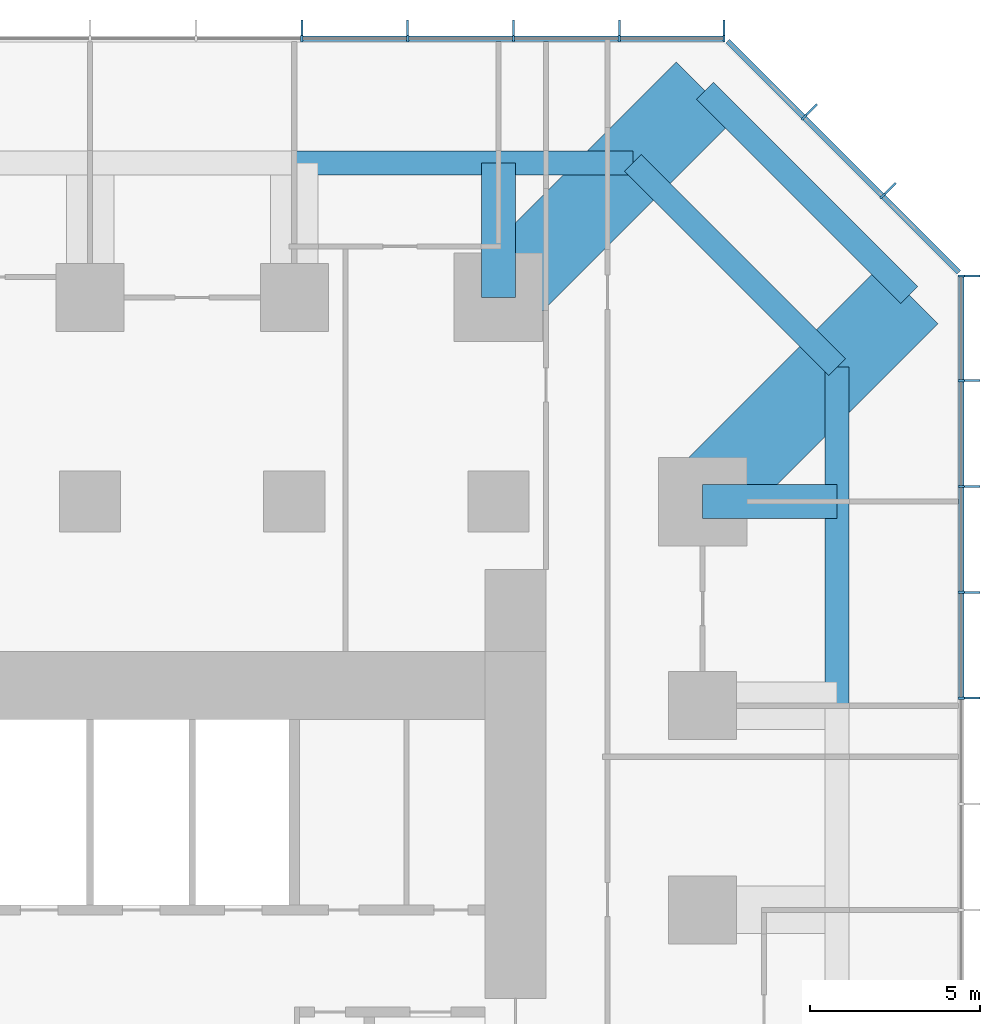
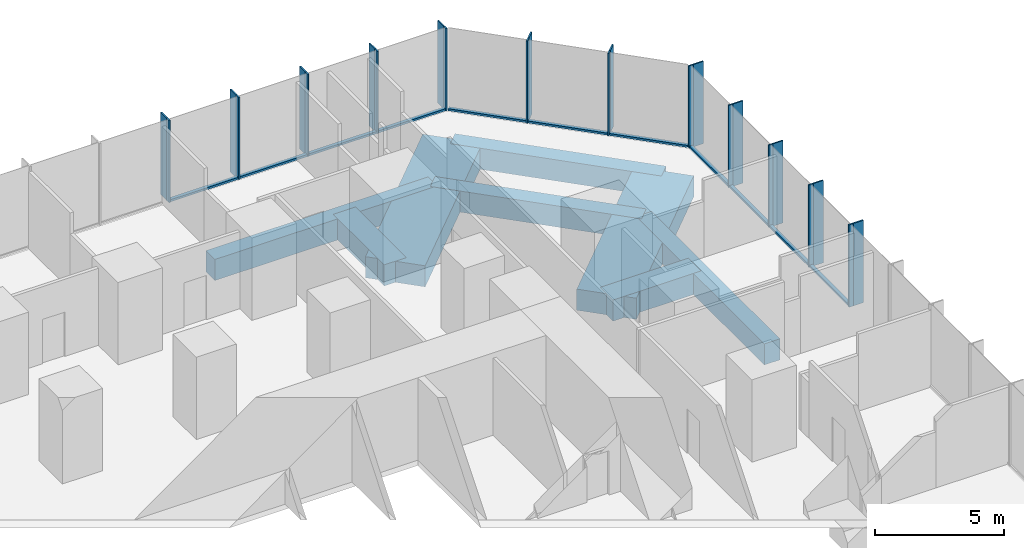
# One storey, part 6 of 12: 35 members, 8 beams, 3 elements without a shape of their own.
"""IFC4 building model written with IfcOpenShell, lengths in metres."""

from ifc_helpers import new_model, si_unit, direction, frame, origin, origin_2d, place, context, subcontext, project, spatial, rectangle, extrude, material, layer, layer_set, material_profile, profile_set, type_object, element, aggregate, save


model = new_model("IFC4")

# Units and contexts
model_context = context("Model", 3, precision=1e-05, world=origin(), true_north=direction((0.0, 1.0)))
body_context = subcontext(model_context, "Body", "Model", "MODEL_VIEW")
ifc_project = project(units=[si_unit("LENGTHUNIT", "METRE"), si_unit("AREAUNIT", "SQUARE_METRE"), si_unit("VOLUMEUNIT", "CUBIC_METRE"), si_unit("PLANEANGLEUNIT", "RADIAN"), si_unit("MASSUNIT", "GRAM", prefix="KILO")], contexts=[model_context])

# Site, building, storey
site_placement = place(None, origin())
site = spatial("IfcSite", under=ifc_project, at=site_placement, CompositionType="ELEMENT")
building_placement = place(site_placement, origin())
building = spatial("IfcBuilding", under=site, at=building_placement, Name="Highveld Stack Headquarters", CompositionType="ELEMENT")
storey_placement = place(building_placement, frame((0.0, 0.0, 80.60009765625)))
storey = spatial("IfcBuildingStorey", under=building, at=storey_placement, Name="L19", CompositionType="ELEMENT", Elevation=80.60009765625)

# Beams
ifc_material_1 = material(Name="Concrete C60/75", Category="concrete")
ifc_material_profile_1 = material_profile(ifc_material_1, rectangle(XDim=1.0, YDim=1.0, at=origin_2d()), Name="RC 1000x1000")
ifc_profile_set_1 = profile_set([ifc_material_profile_1], Name="Concrete C60/75")
beam_type_1 = type_object("IfcBeamType", Name="CANTILEVER RIB RC 1000x1000", PredefinedType="USERDEFINED", material=ifc_profile_set_1)
for number, where, z_axis, x_axis, name in (
    (1, (18.0, 24.0, -0.75), (0.0, 1.0, 0.0), (-1.0, 0.0, 0.0), "Cantilever rib 9/J L19"),
    (2, (24.0, 18.0, -0.75), (1.0, 0.0, 0.0), (0.0, 1.0, 0.0), "Cantilever rib 10/H L19"),
):
    element("IfcBeam", number, at=place(storey_placement, frame(where, z_axis=z_axis, x_axis=x_axis)), inside=storey, type_object=beam_type_1, Name=name, ObjectType="CANTILEVER RIB", PredefinedType="USERDEFINED", context=body_context, shape_type="SweptSolid", body=[
        extrude(rectangle(XDim=1.0, YDim=1.0, at=origin_2d()), origin(), (0.0, 0.0, 1.0), 3.949951171875),
    ])
ifc_material_2 = material(Name="Concrete C60/75", Category="concrete")
ifc_material_profile_2 = material_profile(ifc_material_2, rectangle(XDim=2.39990234375, YDim=1.0, at=origin_2d()), Name="RC 2400x1000")
ifc_profile_set_2 = profile_set([ifc_material_profile_2], Name="Concrete C60/75")
beam_type_2 = type_object("IfcBeamType", Name="CANTILEVER RIB RC 2400x1000", PredefinedType="USERDEFINED", material=ifc_profile_set_2)
for number, where, z_axis, x_axis, name in (
    (3, (18.0, 24.0, -0.75), (0.707106781187, 0.707106781187, 0.0), (-0.707106781187, 0.707106781187, 0.0), "Cantilever rib 9/J L19"),
    (4, (24.0, 18.0, -0.75), (0.707106781187, 0.707106781187, 0.0), (-0.707106781187, 0.707106781187, 0.0), "Cantilever rib 10/H L19"),
):
    element("IfcBeam", number, at=place(storey_placement, frame(where, z_axis=z_axis, x_axis=x_axis)), inside=storey, type_object=beam_type_2, Name=name, ObjectType="CANTILEVER RIB", PredefinedType="USERDEFINED", context=body_context, shape_type="SweptSolid", body=[
        extrude(rectangle(XDim=2.39990234375, YDim=1.0, at=origin_2d()), origin(), (0.0, 0.0, 1.0), 8.585693359375),
    ])

# Curtain wall, members
ifc_material_3 = material(Name="Aluminium bronze anodised", Category="aluminium")
ifc_layer_1 = layer(ifc_material_3, 0.199951171875)
ifc_layer_set_1 = layer_set([ifc_layer_1], Name="Aluminium bronze anodised")
curtain_wall_type_1 = type_object("IfcCurtainWallType", Name="CW1 TOWER UNITISED CURTAIN WALL", PredefinedType="NOTDEFINED", material=ifc_layer_set_1)
curtain_wall_1_placement = place(storey_placement, origin())
curtain_wall_1 = element("IfcCurtainWall", 5, at=curtain_wall_1_placement, inside=storey, type_object=curtain_wall_type_1, Name="Curtain wall CW1 L19 E", PredefinedType="NOTDEFINED")
ifc_material_4 = material(Name="Aluminium bronze anodised", Category="aluminium")
ifc_material_profile_3 = material_profile(ifc_material_4, rectangle(XDim=0.449951171875, YDim=0.06005859375, at=origin_2d()), Name="FIN 450x60")
ifc_profile_set_3 = profile_set([ifc_material_profile_3], Name="Aluminium bronze anodised")
member_type_1 = type_object("IfcMemberType", Name="CW1 BRONZE FIN 450x60", PredefinedType="USERDEFINED", material=ifc_profile_set_3)
member_1_placement = place(storey_placement, frame((31.925048828125, 12.220947265625, 0.0), z_axis=(0.0, 0.0, 1.0), x_axis=(-1.0, 0.0, 0.0)))
member_1 = element("IfcMember", 6, at=member_1_placement, type_object=member_type_1, Name="CW1 fin L19 9", ObjectType="FIN", PredefinedType="USERDEFINED", context=body_context, shape_type="SweptSolid", body=[
    extrude(rectangle(XDim=0.449951171875, YDim=0.06005859375, at=origin_2d()), origin(), (0.0, 0.0, 1.0), 3.89990234375),
])
member_2_placement = place(storey_placement, frame((31.925048828125, 15.331298828125, 0.0), z_axis=(0.0, 0.0, 1.0), x_axis=(-1.0, 0.0, 0.0)))
member_2 = element("IfcMember", 7, at=member_2_placement, type_object=member_type_1, Name="CW1 fin L19 10", ObjectType="FIN", PredefinedType="USERDEFINED", context=body_context, shape_type="SweptSolid", body=[
    extrude(rectangle(XDim=0.449951171875, YDim=0.06005859375, at=origin_2d()), origin(), (0.0, 0.0, 1.0), 3.89990234375),
])
member_3_placement = place(storey_placement, frame((31.925048828125, 18.44189453125, 0.0), z_axis=(0.0, 0.0, 1.0), x_axis=(-1.0, 0.0, 0.0)))
member_3 = element("IfcMember", 8, at=member_3_placement, type_object=member_type_1, Name="CW1 fin L19 11", ObjectType="FIN", PredefinedType="USERDEFINED", context=body_context, shape_type="SweptSolid", body=[
    extrude(rectangle(XDim=0.449951171875, YDim=0.06005859375, at=origin_2d()), origin(), (0.0, 0.0, 1.0), 3.89990234375),
])
member_4_placement = place(storey_placement, frame((31.925048828125, 21.55224609375, 0.0), z_axis=(0.0, 0.0, 1.0), x_axis=(-1.0, 0.0, 0.0)))
member_4 = element("IfcMember", 9, at=member_4_placement, type_object=member_type_1, Name="CW1 fin L19 12", ObjectType="FIN", PredefinedType="USERDEFINED", context=body_context, shape_type="SweptSolid", body=[
    extrude(rectangle(XDim=0.449951171875, YDim=0.06005859375, at=origin_2d()), origin(), (0.0, 0.0, 1.0), 3.89990234375),
])
member_5_placement = place(storey_placement, frame((31.925048828125, 24.630126953125, 0.0), z_axis=(0.0, 0.0, 1.0), x_axis=(-1.0, 0.0, 0.0)))
member_5 = element("IfcMember", 10, at=member_5_placement, type_object=member_type_1, Name="CW1 fin L19 13", ObjectType="FIN", PredefinedType="USERDEFINED", context=body_context, shape_type="SweptSolid", body=[
    extrude(rectangle(XDim=0.449951171875, YDim=0.06005859375, at=origin_2d()), origin(), (0.0, 0.0, 1.0), 3.89990234375),
])

curtain_wall_2_placement = place(storey_placement, origin())
curtain_wall_2 = element("IfcCurtainWall", 11, at=curtain_wall_2_placement, inside=storey, type_object=curtain_wall_type_1, Name="Curtain wall CW1 L19 N", PredefinedType="NOTDEFINED")
member_6_placement = place(storey_placement, frame((24.630126953125, 31.925048828125, 0.0), z_axis=(0.0, 0.0, 1.0), x_axis=(0.0, -1.0, 0.0)))
member_6 = element("IfcMember", 12, at=member_6_placement, type_object=member_type_1, Name="CW1 fin L19 1", ObjectType="FIN", PredefinedType="USERDEFINED", context=body_context, shape_type="SweptSolid", body=[
    extrude(rectangle(XDim=0.449951171875, YDim=0.06005859375, at=origin_2d()), origin(), (0.0, 0.0, 1.0), 3.89990234375),
])
member_7_placement = place(storey_placement, frame((21.55224609375, 31.925048828125, 0.0), z_axis=(0.0, 0.0, 1.0), x_axis=(0.0, -1.0, 0.0)))
member_7 = element("IfcMember", 13, at=member_7_placement, type_object=member_type_1, Name="CW1 fin L19 2", ObjectType="FIN", PredefinedType="USERDEFINED", context=body_context, shape_type="SweptSolid", body=[
    extrude(rectangle(XDim=0.449951171875, YDim=0.06005859375, at=origin_2d()), origin(), (0.0, 0.0, 1.0), 3.89990234375),
])
member_8_placement = place(storey_placement, frame((18.44189453125, 31.925048828125, 0.0), z_axis=(0.0, 0.0, 1.0), x_axis=(0.0, -1.0, 0.0)))
member_8 = element("IfcMember", 14, at=member_8_placement, type_object=member_type_1, Name="CW1 fin L19 3", ObjectType="FIN", PredefinedType="USERDEFINED", context=body_context, shape_type="SweptSolid", body=[
    extrude(rectangle(XDim=0.449951171875, YDim=0.06005859375, at=origin_2d()), origin(), (0.0, 0.0, 1.0), 3.89990234375),
])
member_9_placement = place(storey_placement, frame((15.331298828125, 31.925048828125, 0.0), z_axis=(0.0, 0.0, 1.0), x_axis=(0.0, -1.0, 0.0)))
member_9 = element("IfcMember", 15, at=member_9_placement, type_object=member_type_1, Name="CW1 fin L19 4", ObjectType="FIN", PredefinedType="USERDEFINED", context=body_context, shape_type="SweptSolid", body=[
    extrude(rectangle(XDim=0.449951171875, YDim=0.06005859375, at=origin_2d()), origin(), (0.0, 0.0, 1.0), 3.89990234375),
])
member_10_placement = place(storey_placement, frame((12.220947265625, 31.925048828125, 0.0), z_axis=(0.0, 0.0, 1.0), x_axis=(0.0, -1.0, 0.0)))
member_10 = element("IfcMember", 16, at=member_10_placement, type_object=member_type_1, Name="CW1 fin L19 5", ObjectType="FIN", PredefinedType="USERDEFINED", context=body_context, shape_type="SweptSolid", body=[
    extrude(rectangle(XDim=0.449951171875, YDim=0.06005859375, at=origin_2d()), origin(), (0.0, 0.0, 1.0), 3.89990234375),
])

# Member
ifc_material_5 = material(Name="Aluminium bronze anodised", Category="aluminium")
ifc_material_profile_4 = material_profile(ifc_material_5, rectangle(XDim=0.199951171875, YDim=0.06494140625, at=origin_2d()), Name="CW1 MULLION 65x200")
ifc_profile_set_4 = profile_set([ifc_material_profile_4], Name="Aluminium bronze anodised")
member_type_2 = type_object("IfcMemberType", Name="CW1 MULLION 65x200", PredefinedType="MULLION", material=ifc_profile_set_4)
member_11_placement = place(storey_placement, frame((31.60009765625, 12.220947265625, 0.0), z_axis=(0.0, 0.0, 1.0), x_axis=(-1.0, 0.0, 0.0)))
member_11 = element("IfcMember", 17, at=member_11_placement, type_object=member_type_2, Name="CW1 mullion L19 9", PredefinedType="MULLION", context=body_context, shape_type="SweptSolid", body=[
    extrude(rectangle(XDim=0.199951171875, YDim=0.06494140625, at=origin_2d()), origin(), (0.0, 0.0, 1.0), 3.89990234375),
])

member_12_placement = place(storey_placement, frame((31.60009765625, 15.331298828125, 0.0), z_axis=(0.0, 0.0, 1.0), x_axis=(-1.0, 0.0, 0.0)))
member_12 = element("IfcMember", 18, at=member_12_placement, type_object=member_type_2, Name="CW1 mullion L19 10", PredefinedType="MULLION", context=body_context, shape_type="SweptSolid", body=[
    extrude(rectangle(XDim=0.199951171875, YDim=0.06494140625, at=origin_2d()), origin(), (0.0, 0.0, 1.0), 3.89990234375),
])

member_13_placement = place(storey_placement, frame((31.60009765625, 18.44189453125, 0.0), z_axis=(0.0, 0.0, 1.0), x_axis=(-1.0, 0.0, 0.0)))
member_13 = element("IfcMember", 19, at=member_13_placement, type_object=member_type_2, Name="CW1 mullion L19 11", PredefinedType="MULLION", context=body_context, shape_type="SweptSolid", body=[
    extrude(rectangle(XDim=0.199951171875, YDim=0.06494140625, at=origin_2d()), origin(), (0.0, 0.0, 1.0), 3.89990234375),
])

member_14_placement = place(storey_placement, frame((31.60009765625, 21.55224609375, 0.0), z_axis=(0.0, 0.0, 1.0), x_axis=(-1.0, 0.0, 0.0)))
member_14 = element("IfcMember", 20, at=member_14_placement, type_object=member_type_2, Name="CW1 mullion L19 12", PredefinedType="MULLION", context=body_context, shape_type="SweptSolid", body=[
    extrude(rectangle(XDim=0.199951171875, YDim=0.06494140625, at=origin_2d()), origin(), (0.0, 0.0, 1.0), 3.89990234375),
])

member_15_placement = place(storey_placement, frame((31.60009765625, 24.630126953125, 0.0), z_axis=(0.0, 0.0, 1.0), x_axis=(-1.0, 0.0, 0.0)))
member_15 = element("IfcMember", 21, at=member_15_placement, type_object=member_type_2, Name="CW1 mullion L19 13", PredefinedType="MULLION", context=body_context, shape_type="SweptSolid", body=[
    extrude(rectangle(XDim=0.199951171875, YDim=0.06494140625, at=origin_2d()), origin(), (0.0, 0.0, 1.0), 3.89990234375),
])

member_16_placement = place(storey_placement, frame((24.630126953125, 31.60009765625, 0.0), z_axis=(0.0, 0.0, 1.0), x_axis=(0.0, -1.0, 0.0)))
member_16 = element("IfcMember", 22, at=member_16_placement, type_object=member_type_2, Name="CW1 mullion L19 1", PredefinedType="MULLION", context=body_context, shape_type="SweptSolid", body=[
    extrude(rectangle(XDim=0.199951171875, YDim=0.06494140625, at=origin_2d()), origin(), (0.0, 0.0, 1.0), 3.89990234375),
])

member_17_placement = place(storey_placement, frame((21.55224609375, 31.60009765625, 0.0), z_axis=(0.0, 0.0, 1.0), x_axis=(0.0, -1.0, 0.0)))
member_17 = element("IfcMember", 23, at=member_17_placement, type_object=member_type_2, Name="CW1 mullion L19 2", PredefinedType="MULLION", context=body_context, shape_type="SweptSolid", body=[
    extrude(rectangle(XDim=0.199951171875, YDim=0.06494140625, at=origin_2d()), origin(), (0.0, 0.0, 1.0), 3.89990234375),
])

member_18_placement = place(storey_placement, frame((18.44189453125, 31.60009765625, 0.0), z_axis=(0.0, 0.0, 1.0), x_axis=(0.0, -1.0, 0.0)))
member_18 = element("IfcMember", 24, at=member_18_placement, type_object=member_type_2, Name="CW1 mullion L19 3", PredefinedType="MULLION", context=body_context, shape_type="SweptSolid", body=[
    extrude(rectangle(XDim=0.199951171875, YDim=0.06494140625, at=origin_2d()), origin(), (0.0, 0.0, 1.0), 3.89990234375),
])

member_19_placement = place(storey_placement, frame((15.331298828125, 31.60009765625, 0.0), z_axis=(0.0, 0.0, 1.0), x_axis=(0.0, -1.0, 0.0)))
member_19 = element("IfcMember", 25, at=member_19_placement, type_object=member_type_2, Name="CW1 mullion L19 4", PredefinedType="MULLION", context=body_context, shape_type="SweptSolid", body=[
    extrude(rectangle(XDim=0.199951171875, YDim=0.06494140625, at=origin_2d()), origin(), (0.0, 0.0, 1.0), 3.89990234375),
])

member_20_placement = place(storey_placement, frame((12.220947265625, 31.60009765625, 0.0), z_axis=(0.0, 0.0, 1.0), x_axis=(0.0, -1.0, 0.0)))
member_20 = element("IfcMember", 26, at=member_20_placement, type_object=member_type_2, Name="CW1 mullion L19 5", PredefinedType="MULLION", context=body_context, shape_type="SweptSolid", body=[
    extrude(rectangle(XDim=0.199951171875, YDim=0.06494140625, at=origin_2d()), origin(), (0.0, 0.0, 1.0), 3.89990234375),
])

ifc_material_6 = material(Name="Aluminium bronze anodised", Category="aluminium")
ifc_material_profile_5 = material_profile(ifc_material_6, rectangle(XDim=0.14990234375, YDim=0.10009765625, at=origin_2d()), Name="CW1 TRANSOM 150x100")
ifc_profile_set_5 = profile_set([ifc_material_profile_5], Name="Aluminium bronze anodised")
member_type_3 = type_object("IfcMemberType", Name="CW1 STACK TRANSOM 150x100", PredefinedType="USERDEFINED", material=ifc_profile_set_5)
member_21_placement = place(storey_placement, frame((31.60009765625, 12.25341796875, 0.0498046875), z_axis=(0.0, 1.0, 0.0), x_axis=(-1.0, 0.0, 0.0)))
member_21 = element("IfcMember", 27, at=member_21_placement, type_object=member_type_3, Name="CW1 transom L19 9.1", ObjectType="TRANSOM", PredefinedType="USERDEFINED", context=body_context, shape_type="SweptSolid", body=[
    extrude(rectangle(XDim=0.14990234375, YDim=0.10009765625, at=origin_2d()), origin(), (0.0, 0.0, 1.0), 3.04541015625),
])

member_22_placement = place(storey_placement, frame((31.60009765625, 15.364013671875, 0.0498046875), z_axis=(0.0, 1.0, 0.0), x_axis=(-1.0, 0.0, 0.0)))
member_22 = element("IfcMember", 28, at=member_22_placement, type_object=member_type_3, Name="CW1 transom L19 10.1", ObjectType="TRANSOM", PredefinedType="USERDEFINED", context=body_context, shape_type="SweptSolid", body=[
    extrude(rectangle(XDim=0.14990234375, YDim=0.10009765625, at=origin_2d()), origin(), (0.0, 0.0, 1.0), 3.045166015625),
])

member_23_placement = place(storey_placement, frame((31.60009765625, 18.474365234375, 0.0498046875), z_axis=(0.0, 1.0, 0.0), x_axis=(-1.0, 0.0, 0.0)))
member_23 = element("IfcMember", 29, at=member_23_placement, type_object=member_type_3, Name="CW1 transom L19 11.1", ObjectType="TRANSOM", PredefinedType="USERDEFINED", context=body_context, shape_type="SweptSolid", body=[
    extrude(rectangle(XDim=0.14990234375, YDim=0.10009765625, at=origin_2d()), origin(), (0.0, 0.0, 1.0), 3.04541015625),
])

member_24_placement = place(storey_placement, frame((31.60009765625, 21.584716796875, 0.0498046875), z_axis=(0.0, 1.0, 0.0), x_axis=(-1.0, 0.0, 0.0)))
member_24 = element("IfcMember", 30, at=member_24_placement, type_object=member_type_3, Name="CW1 transom L19 12.1", ObjectType="TRANSOM", PredefinedType="USERDEFINED", context=body_context, shape_type="SweptSolid", body=[
    extrude(rectangle(XDim=0.14990234375, YDim=0.10009765625, at=origin_2d()), origin(), (0.0, 0.0, 1.0), 3.012939453125),
])

aggregate(curtain_wall_1, [member_11, member_1, member_12, member_2, member_13, member_3, member_14, member_4, member_15, member_5, member_21, member_22, member_23, member_24])

member_25_placement = place(storey_placement, frame((24.59765625, 31.60009765625, 0.0498046875), z_axis=(-1.0, 0.0, 0.0), x_axis=(0.0, -1.0, 0.0)))
member_25 = element("IfcMember", 31, at=member_25_placement, type_object=member_type_3, Name="CW1 transom L19 1.1", ObjectType="TRANSOM", PredefinedType="USERDEFINED", context=body_context, shape_type="SweptSolid", body=[
    extrude(rectangle(XDim=0.14990234375, YDim=0.10009765625, at=origin_2d()), origin(), (0.0, 0.0, 1.0), 3.012939453125),
])

member_26_placement = place(storey_placement, frame((21.519775390625, 31.60009765625, 0.0498046875), z_axis=(-1.0, 0.0, 0.0), x_axis=(0.0, -1.0, 0.0)))
member_26 = element("IfcMember", 32, at=member_26_placement, type_object=member_type_3, Name="CW1 transom L19 2.1", ObjectType="TRANSOM", PredefinedType="USERDEFINED", context=body_context, shape_type="SweptSolid", body=[
    extrude(rectangle(XDim=0.14990234375, YDim=0.10009765625, at=origin_2d()), origin(), (0.0, 0.0, 1.0), 3.04541015625),
])

member_27_placement = place(storey_placement, frame((18.4091796875, 31.60009765625, 0.0498046875), z_axis=(-1.0, 0.0, 0.0), x_axis=(0.0, -1.0, 0.0)))
member_27 = element("IfcMember", 33, at=member_27_placement, type_object=member_type_3, Name="CW1 transom L19 3.1", ObjectType="TRANSOM", PredefinedType="USERDEFINED", context=body_context, shape_type="SweptSolid", body=[
    extrude(rectangle(XDim=0.14990234375, YDim=0.10009765625, at=origin_2d()), origin(), (0.0, 0.0, 1.0), 3.045166015625),
])

member_28_placement = place(storey_placement, frame((15.298828125, 31.60009765625, 0.0498046875), z_axis=(-1.0, 0.0, 0.0), x_axis=(0.0, -1.0, 0.0)))
member_28 = element("IfcMember", 34, at=member_28_placement, type_object=member_type_3, Name="CW1 transom L19 4.1", ObjectType="TRANSOM", PredefinedType="USERDEFINED", context=body_context, shape_type="SweptSolid", body=[
    extrude(rectangle(XDim=0.14990234375, YDim=0.10009765625, at=origin_2d()), origin(), (0.0, 0.0, 1.0), 3.04541015625),
])

aggregate(curtain_wall_2, [member_16, member_6, member_17, member_7, member_18, member_8, member_19, member_9, member_20, member_10, member_25, member_26, member_27, member_28])

# Curtain wall, members
ifc_material_7 = material(Name="Aluminium bronze anodised", Category="aluminium")
ifc_layer_2 = layer(ifc_material_7, 0.199951171875)
ifc_layer_set_2 = layer_set([ifc_layer_2], Name="Aluminium bronze anodised")
curtain_wall_type_2 = type_object("IfcCurtainWallType", Name="CW2 TOWER CHAMFER UNITISED CURTAIN WALL", PredefinedType="NOTDEFINED", material=ifc_layer_set_2)
curtain_wall_3_placement = place(storey_placement, origin())
curtain_wall_3 = element("IfcCurtainWall", 35, at=curtain_wall_3_placement, inside=storey, type_object=curtain_wall_type_2, Name="Curtain wall CW2 L19 NE", PredefinedType="NOTDEFINED")
ifc_material_8 = material(Name="Aluminium bronze anodised", Category="aluminium")
ifc_material_profile_6 = material_profile(ifc_material_8, rectangle(XDim=0.449951171875, YDim=0.06005859375, at=origin_2d()), Name="FIN 450x60")
ifc_profile_set_6 = profile_set([ifc_material_profile_6], Name="Aluminium bronze anodised")
member_type_4 = type_object("IfcMemberType", Name="CW2 BRONZE FIN 450x60", PredefinedType="USERDEFINED", material=ifc_profile_set_6)
member_29_placement = place(storey_placement, frame((29.517333984375, 27.204833984375, 0.0), z_axis=(0.0, 0.0, 1.0), x_axis=(-0.707106781187, -0.707106781187, 0.0)))
member_29 = element("IfcMember", 36, at=member_29_placement, type_object=member_type_4, Name="CW2 fin L19 1", ObjectType="FIN", PredefinedType="USERDEFINED", context=body_context, shape_type="SweptSolid", body=[
    extrude(rectangle(XDim=0.449951171875, YDim=0.06005859375, at=origin_2d()), origin(), (0.0, 0.0, 1.0), 3.89990234375),
])
member_30_placement = place(storey_placement, frame((27.204833984375, 29.517333984375, 0.0), z_axis=(0.0, 0.0, 1.0), x_axis=(-0.707106781187, -0.707106781187, 0.0)))
member_30 = element("IfcMember", 37, at=member_30_placement, type_object=member_type_4, Name="CW2 fin L19 2", ObjectType="FIN", PredefinedType="USERDEFINED", context=body_context, shape_type="SweptSolid", body=[
    extrude(rectangle(XDim=0.449951171875, YDim=0.06005859375, at=origin_2d()), origin(), (0.0, 0.0, 1.0), 3.89990234375),
])
ifc_material_9 = material(Name="Aluminium bronze anodised", Category="aluminium")
ifc_material_profile_7 = material_profile(ifc_material_9, rectangle(XDim=0.199951171875, YDim=0.06494140625, at=origin_2d()), Name="CW2 MULLION 65x200")
ifc_profile_set_7 = profile_set([ifc_material_profile_7], Name="Aluminium bronze anodised")
member_type_5 = type_object("IfcMemberType", Name="CW2 MULLION 65x200", PredefinedType="MULLION", material=ifc_profile_set_7)
member_31_placement = place(storey_placement, frame((29.28759765625, 26.97509765625, 0.0), z_axis=(0.0, 0.0, 1.0), x_axis=(-0.707106781187, -0.707106781187, 0.0)))
member_31 = element("IfcMember", 38, at=member_31_placement, type_object=member_type_5, Name="CW2 mullion L19 1", PredefinedType="MULLION", context=body_context, shape_type="SweptSolid", body=[
    extrude(rectangle(XDim=0.199951171875, YDim=0.06494140625, at=origin_2d()), origin(), (0.0, 0.0, 1.0), 3.89990234375),
])
member_32_placement = place(storey_placement, frame((26.97509765625, 29.28759765625, 0.0), z_axis=(0.0, 0.0, 1.0), x_axis=(-0.707106781187, -0.707106781187, 0.0)))
member_32 = element("IfcMember", 39, at=member_32_placement, type_object=member_type_5, Name="CW2 mullion L19 2", PredefinedType="MULLION", context=body_context, shape_type="SweptSolid", body=[
    extrude(rectangle(XDim=0.199951171875, YDim=0.06494140625, at=origin_2d()), origin(), (0.0, 0.0, 1.0), 3.89990234375),
])
ifc_material_10 = material(Name="Aluminium bronze anodised", Category="aluminium")
ifc_material_profile_8 = material_profile(ifc_material_10, rectangle(XDim=0.14990234375, YDim=0.10009765625, at=origin_2d()), Name="CW2 TRANSOM 150x100")
ifc_profile_set_8 = profile_set([ifc_material_profile_8], Name="Aluminium bronze anodised")
member_type_6 = type_object("IfcMemberType", Name="CW2 STACK TRANSOM 150x100", PredefinedType="USERDEFINED", material=ifc_profile_set_8)
member_33_placement = place(storey_placement, frame((31.529296875, 24.7333984375, 0.0498046875), z_axis=(-0.707106781187, 0.707106781187, 0.0), x_axis=(-0.707106781187, -0.707106781187, 0.0)))
member_33 = element("IfcMember", 40, at=member_33_placement, type_object=member_type_6, Name="CW2 transom L19 1.1", ObjectType="TRANSOM", PredefinedType="USERDEFINED", context=body_context, shape_type="SweptSolid", body=[
    extrude(rectangle(XDim=0.14990234375, YDim=0.10009765625, at=origin_2d()), origin(), (0.0, 0.0, 1.0), 3.1376953125),
])
member_34_placement = place(storey_placement, frame((29.2646484375, 26.998046875, 0.0498046875), z_axis=(-0.707106781187, 0.707106781187, 0.0), x_axis=(-0.707106781187, -0.707106781187, 0.0)))
member_34 = element("IfcMember", 41, at=member_34_placement, type_object=member_type_6, Name="CW2 transom L19 2.1", ObjectType="TRANSOM", PredefinedType="USERDEFINED", context=body_context, shape_type="SweptSolid", body=[
    extrude(rectangle(XDim=0.14990234375, YDim=0.10009765625, at=origin_2d()), origin(), (0.0, 0.0, 1.0), 3.20556640625),
])
member_35_placement = place(storey_placement, frame((26.9521484375, 29.310546875, 0.0498046875), z_axis=(-0.707106781187, 0.707106781187, 0.0), x_axis=(-0.707106781187, -0.707106781187, 0.0)))
member_35 = element("IfcMember", 42, at=member_35_placement, type_object=member_type_6, Name="CW2 transom L19 3.1", ObjectType="TRANSOM", PredefinedType="USERDEFINED", context=body_context, shape_type="SweptSolid", body=[
    extrude(rectangle(XDim=0.14990234375, YDim=0.10009765625, at=origin_2d()), origin(), (0.0, 0.0, 1.0), 3.1376953125),
])
aggregate(curtain_wall_3, [member_31, member_29, member_32, member_30, member_33, member_34, member_35])

# Beams
ifc_material_11 = material(Name="Concrete C60/75", Category="concrete")
ifc_material_profile_9 = material_profile(ifc_material_11, rectangle(XDim=0.699951171875, YDim=1.0, at=origin_2d()), Name="RC 700x1000")
ifc_profile_set_9 = profile_set([ifc_material_profile_9], Name="Concrete C60/75")
beam_type_3 = type_object("IfcBeamType", Name="RIB TIP BEAM RC 700x1000", PredefinedType="SPANDREL", material=ifc_profile_set_9)
for number, where, z_axis, x_axis, name in (
    (43, (27.949951171875, 12.0, -0.75), (0.0, 1.0, 0.0), (-1.0, 0.0, 0.0), "Rib tip beam 10/G to 10/H L19"),
    (44, (12.0, 27.949951171875, -0.75), (1.0, 0.0, 0.0), (0.0, 1.0, 0.0), "Rib tip beam 8/J to 9/J L19"),
):
    element("IfcBeam", number, at=place(storey_placement, frame(where, z_axis=z_axis, x_axis=x_axis)), inside=storey, type_object=beam_type_3, Name=name, PredefinedType="SPANDREL", context=body_context, shape_type="SweptSolid", body=[
        extrude(rectangle(XDim=0.699951171875, YDim=1.0, at=origin_2d()), origin(), (0.0, 0.0, 1.0), 9.949951171875),
    ])
for number, where, z_axis, x_axis, name in (
    (45, (21.949951171875, 27.949951171875, -0.75), (0.707106781187, -0.707106781187, 0.0), (0.707106781187, 0.707106781187, 0.0), "Rib tip beam 9/J to 10/H chamfer L19"),
    (46, (24.071044921875, 30.071044921875, -0.75), (0.707106781187, -0.707106781187, 0.0), (0.707106781187, 0.707106781187, 0.0), "Rib tip beam 9/J to 10/H chamfer edge L19"),
):
    element("IfcBeam", number, at=place(storey_placement, frame(where, z_axis=z_axis, x_axis=x_axis)), inside=storey, type_object=beam_type_3, Name=name, PredefinedType="SPANDREL", context=body_context, shape_type="SweptSolid", body=[
        extrude(rectangle(XDim=0.699951171875, YDim=1.0, at=origin_2d()), origin(), (0.0, 0.0, 1.0), 8.4853515625),
    ])

save(model, "model.ifc")
